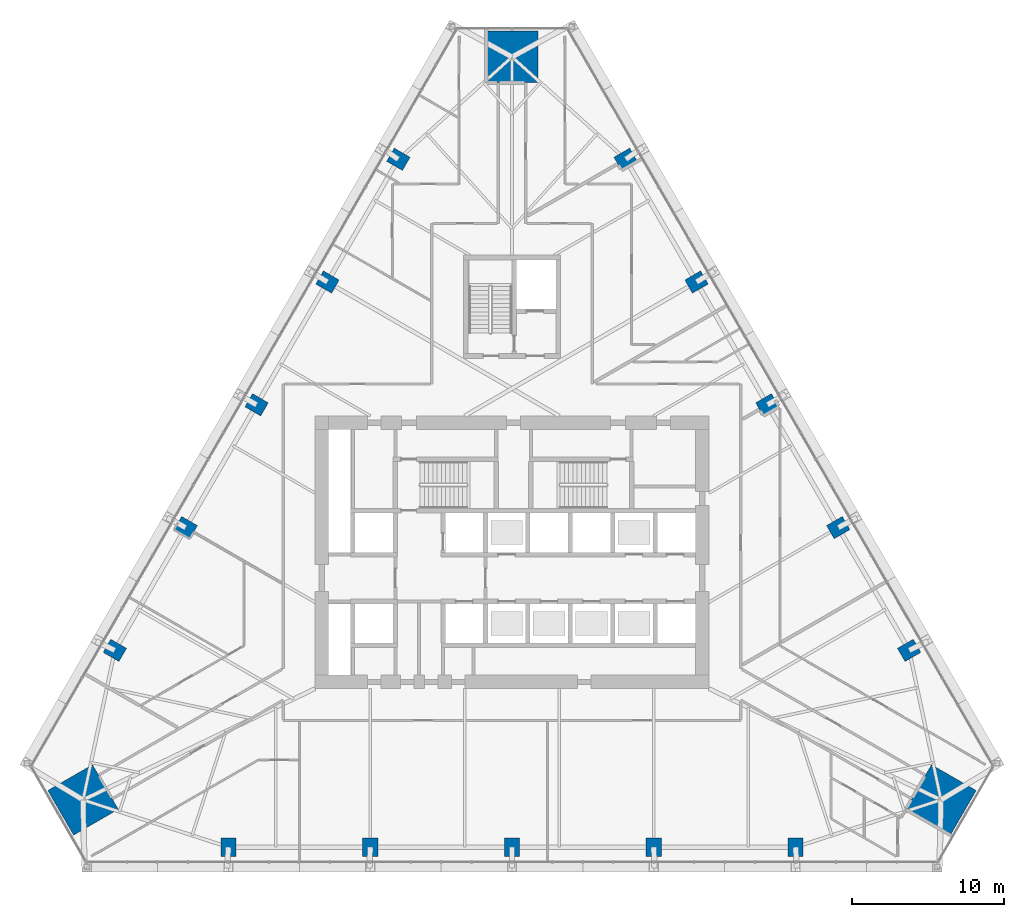
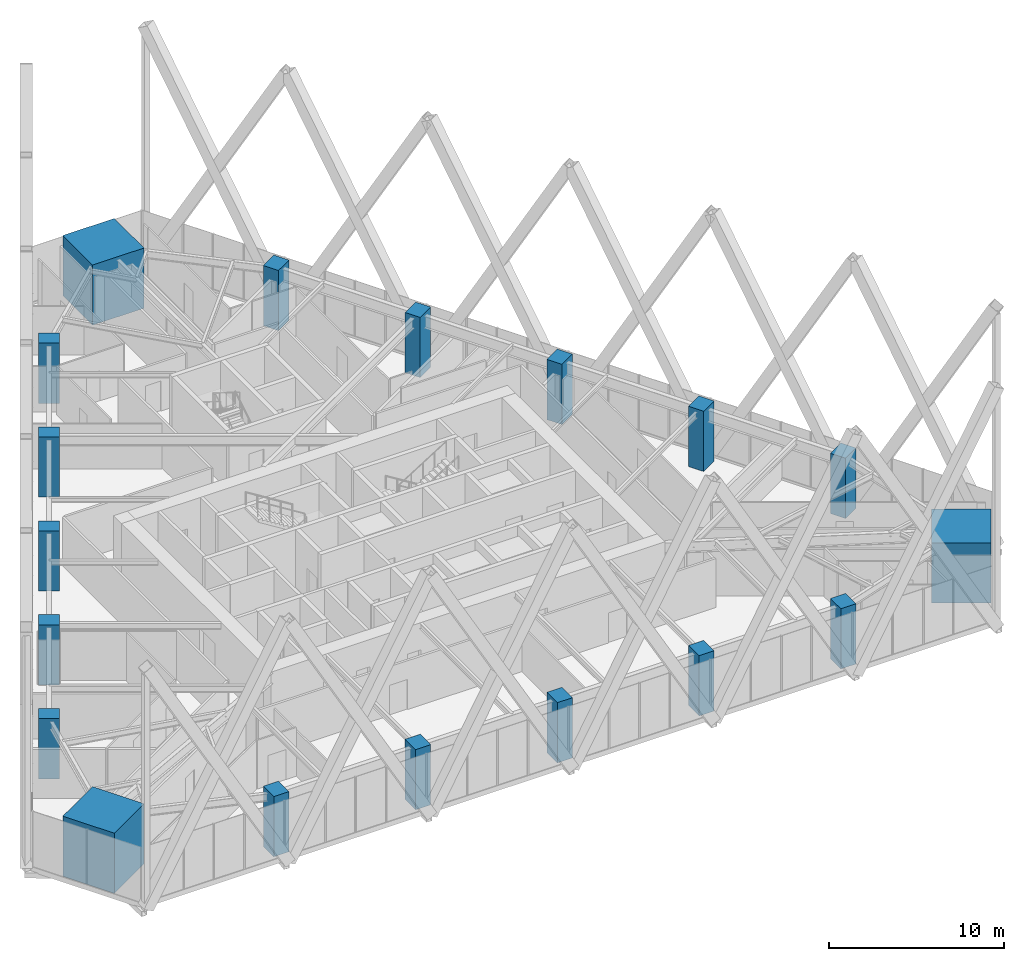
# One storey, part 1 of 21: 18 columns.
"""IFC4 building model written with IfcOpenShell, lengths in metres."""

from ifc_helpers import new_model, si_unit, direction, frame, origin, origin_2d, place, context, subcontext, project, spatial, rectangle, extrude, material, material_profile, profile_set, type_object, element, save


model = new_model("IFC4")

# Units and contexts
model_context = context("Model", 3, precision=1e-05, world=origin(), true_north=direction((0.0, 1.0)))
body_context = subcontext(model_context, "Body", "Model", "MODEL_VIEW")
ifc_project = project(units=[si_unit("LENGTHUNIT", "METRE"), si_unit("AREAUNIT", "SQUARE_METRE"), si_unit("VOLUMEUNIT", "CUBIC_METRE"), si_unit("PLANEANGLEUNIT", "RADIAN"), si_unit("MASSUNIT", "GRAM", prefix="KILO")], contexts=[model_context])

# Site, building, storey
site_placement = place(None, origin())
site = spatial("IfcSite", under=ifc_project, at=site_placement, CompositionType="ELEMENT")
building_placement = place(site_placement, origin())
building = spatial("IfcBuilding", under=site, at=building_placement, Name="Firuza Gate Tower and Library", CompositionType="ELEMENT")
storey_placement = place(building_placement, frame((0.0, 0.0, 107.199951171875)))
storey = spatial("IfcBuildingStorey", under=building, at=storey_placement, Name="L24", CompositionType="ELEMENT", Elevation=107.199951171875)

# Columns
ifc_material_1 = material(Name="Concrete C80/95", Category="concrete")
ifc_material_profile_1 = material_profile(ifc_material_1, rectangle(XDim=3.39990234375, YDim=3.39990234375, at=origin_2d()))
ifc_profile_set_1 = profile_set([ifc_material_profile_1], Name="Concrete C80/95")
column_type_1 = type_object("IfcColumnType", Name="Mega column 3400x3400 C80/95", PredefinedType="COLUMN", material=ifc_profile_set_1)
for number, where, z_axis, x_axis, name in (
    (1, (103.3037109375, 58.65869140625, 0.0), (0.0, 0.0, 1.0), (0.5, 0.866025403784, 0.0), "Mega column SE L24"),
    (2, (75.0, 107.682373046875, 0.0), (0.0, 0.0, 1.0), (-1.0, 0.0, 0.0), "Mega column N L24"),
    (3, (46.6962890625, 58.65869140625, 0.0), (0.0, 0.0, 1.0), (0.5, -0.866025403784, 0.0), "Mega column SW L24"),
):
    element("IfcColumn", number, at=place(storey_placement, frame(where, z_axis=z_axis, x_axis=x_axis)), inside=storey, type_object=column_type_1, Name=name, PredefinedType="COLUMN", context=body_context, shape_type="SweptSolid", body=[
        extrude(rectangle(XDim=3.39990234375, YDim=3.39990234375, at=origin_2d()), origin(), (0.0, 0.0, 1.0), 4.199951171875),
    ])
ifc_material_2 = material(Name="Concrete C60/75", Category="concrete")
ifc_material_profile_2 = material_profile(ifc_material_2, rectangle(XDim=1.0, YDim=1.199951171875, at=origin_2d()))
ifc_profile_set_2 = profile_set([ifc_material_profile_2], Name="Concrete C60/75")
column_type_2 = type_object("IfcColumnType", Name="Perimeter column 1000x1200 C60/75", PredefinedType="COLUMN", material=ifc_profile_set_2)
for number, where, z_axis, x_axis, name in (
    (4, (56.29150390625, 55.541015625, -0.000244140625), (0.0, 0.0, 1.0), (1.0, 0.0, 0.0), "Column S1 L24"),
    (5, (65.645751953125, 55.541015625, -0.000244140625), (0.0, 0.0, 1.0), (1.0, 0.0, 0.0), "Column S2 L24"),
    (6, (75.0, 55.541015625, -0.000244140625), (0.0, 0.0, 1.0), (1.0, 0.0, 0.0), "Column S3 L24"),
    (7, (84.354248046875, 55.541015625, -0.000244140625), (0.0, 0.0, 1.0), (1.0, 0.0, 0.0), "Column S4 L24"),
    (8, (93.70849609375, 55.541015625, -0.000244140625), (0.0, 0.0, 1.0), (1.0, 0.0, 0.0), "Column S5 L24"),
    (9, (101.2060546875, 68.527587890625, -0.000244140625), (0.0, 0.0, 1.0), (-0.5, 0.866025403784, 0.0), "Column E1 L24"),
    (10, (96.529052734375, 76.62841796875, -0.000244140625), (0.0, 0.0, 1.0), (-0.5, 0.866025403784, 0.0), "Column E2 L24"),
    (11, (91.851806640625, 84.7294921875, -0.000244140625), (0.0, 0.0, 1.0), (-0.5, 0.866025403784, 0.0), "Column E3 L24"),
    (12, (87.1748046875, 92.830322265625, -0.000244140625), (0.0, 0.0, 1.0), (-0.5, 0.866025403784, 0.0), "Column E4 L24"),
    (13, (82.497802734375, 100.931396484375, -0.000244140625), (0.0, 0.0, 1.0), (-0.5, 0.866025403784, 0.0), "Column E5 L24"),
    (14, (67.502197265625, 100.931396484375, -0.000244140625), (0.0, 0.0, 1.0), (-0.5, -0.866025403784, 0.0), "Column W1 L24"),
    (15, (62.8251953125, 92.830322265625, -0.000244140625), (0.0, 0.0, 1.0), (-0.5, -0.866025403784, 0.0), "Column W2 L24"),
    (16, (58.148193359375, 84.7294921875, -0.000244140625), (0.0, 0.0, 1.0), (-0.5, -0.866025403784, 0.0), "Column W3 L24"),
    (17, (53.470947265625, 76.62841796875, -0.000244140625), (0.0, 0.0, 1.0), (-0.5, -0.866025403784, 0.0), "Column W4 L24"),
    (18, (48.7939453125, 68.527587890625, -0.000244140625), (0.0, 0.0, 1.0), (-0.5, -0.866025403784, 0.0), "Column W5 L24"),
):
    element("IfcColumn", number, at=place(storey_placement, frame(where, z_axis=z_axis, x_axis=x_axis)), inside=storey, type_object=column_type_2, Name=name, PredefinedType="COLUMN", context=body_context, shape_type="SweptSolid", body=[
        extrude(rectangle(XDim=1.0, YDim=1.199951171875, at=origin_2d()), origin(), (0.0, 0.0, 1.0), 4.2001953125),
    ])

save(model, "model.ifc")
